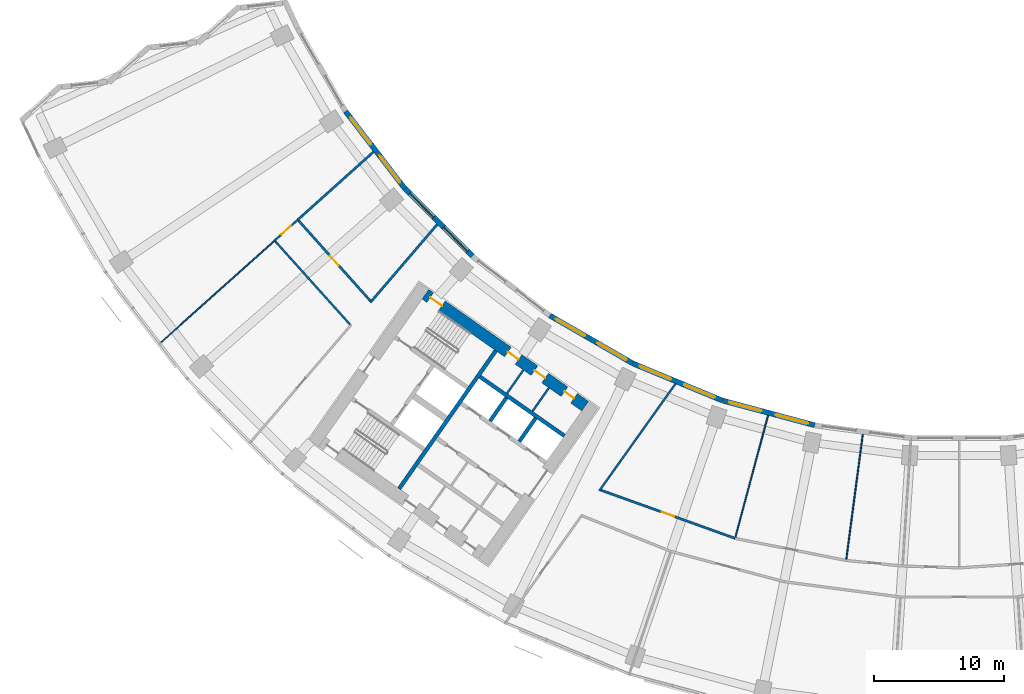
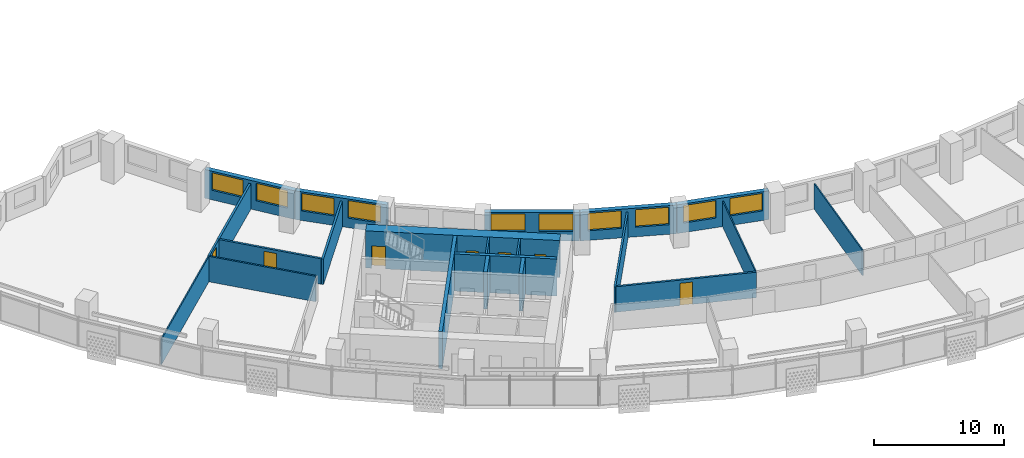
# One storey, part 4 of 29: 22 walls, 10 windows, 7 doors, 17 openings.
"""IFC4 building model written with IfcOpenShell, lengths in metres."""

from ifc_helpers import new_model, si_unit, direction, frame, frame_2d, origin, place, context, subcontext, project, spatial, rectangle, extrude, material, layer, layer_set, type_object, element, fill, save


model = new_model("IFC4")

# Units and contexts
model_context = context("Model", 3, precision=1e-05, world=origin(), true_north=direction((0.0, 1.0)))
body_context = subcontext(model_context, "Body", "Model", "MODEL_VIEW")
ifc_project = project(units=[si_unit("LENGTHUNIT", "METRE"), si_unit("AREAUNIT", "SQUARE_METRE"), si_unit("VOLUMEUNIT", "CUBIC_METRE"), si_unit("PLANEANGLEUNIT", "RADIAN"), si_unit("MASSUNIT", "GRAM", prefix="KILO")], contexts=[model_context])

# Site, building, storey
site_placement = place(None, origin())
site = spatial("IfcSite", under=ifc_project, at=site_placement, CompositionType="ELEMENT")
building_placement = place(site_placement, origin())
building = spatial("IfcBuilding", under=site, at=building_placement, Name="Qamariyya Broadcast Tower", CompositionType="ELEMENT")
storey_placement = place(building_placement, frame((0.0, 0.0, 129.10009765625)))
storey = spatial("IfcBuildingStorey", under=building, at=storey_placement, Name="L29", CompositionType="ELEMENT", Elevation=129.10009765625)

# Wall, openings, doors
ifc_material_1 = material(Name="Concrete C70/85", Category="concrete")
ifc_layer_1 = layer(ifc_material_1, 0.89990234375)
ifc_layer_set_1 = layer_set([ifc_layer_1], Name="Core wall 900 mm Concrete C70/85")
wall_type_1 = type_object("IfcWallType", Name="Core wall 900 mm Concrete C70/85", PredefinedType="SHEAR", material=ifc_layer_set_1)
wall_1_placement = place(storey_placement, frame((-28.8544921875, -54.32421875, 0.0), z_axis=(0.0, 0.0, 1.0), x_axis=(-0.819145767589, 0.573585400304, 0.0)))
wall_1 = element("IfcWall", 1, at=wall_1_placement, inside=storey, type_object=wall_type_1, Name="k-W-L29-WI", PredefinedType="SHEAR", context=body_context, shape_type="SweptSolid", body=[
    extrude(rectangle(XDim=15.04541015625, YDim=0.89990234375, at=frame_2d((7.522705078125, 0.0))), origin(), (0.0, 0.0, 1.0), 3.5),
])
opening_1_placement = place(wall_1_placement, frame((1.050048828125, 0.0, 0.0)))
opening_1 = element("IfcOpeningElement", 2, at=opening_1_placement, cuts=wall_1, Name="Opening KD5-W1", PredefinedType="OPENING", context=body_context, shape_type="SweptSolid", body=[
    extrude(rectangle(XDim=0.89990234375, YDim=2.10009765625, at=frame_2d((0.449951171875, 1.050048828125))), frame((0.0, 0.4599609375, 0.0), z_axis=(0.0, -1.0, 0.0), x_axis=(1.0, 0.0, 0.0)), (0.0, 0.0, 1.0), 0.919921875),
])
opening_2_placement = place(wall_1_placement, frame((3.77490234375, 0.0, 0.0)))
opening_2 = element("IfcOpeningElement", 3, at=opening_2_placement, cuts=wall_1, Name="Opening KD7-W1", PredefinedType="OPENING", context=body_context, shape_type="SweptSolid", body=[
    extrude(rectangle(XDim=1.0, YDim=2.10009765625, at=frame_2d((0.5, 1.050048828125))), frame((0.0, 0.4599609375, 0.0), z_axis=(0.0, -1.0, 0.0), x_axis=(1.0, 0.0, 0.0)), (0.0, 0.0, 1.0), 0.919921875),
])
opening_3_placement = place(wall_1_placement, frame((6.27490234375, 0.0, 0.0)))
opening_3 = element("IfcOpeningElement", 4, at=opening_3_placement, cuts=wall_1, Name="Opening KD6-W4", PredefinedType="OPENING", context=body_context, shape_type="SweptSolid", body=[
    extrude(rectangle(XDim=1.0, YDim=2.10009765625, at=frame_2d((0.5, 1.050048828125))), frame((0.0, 0.4599609375, 0.0), z_axis=(0.0, -1.0, 0.0), x_axis=(1.0, 0.0, 0.0)), (0.0, 0.0, 1.0), 0.919921875),
])
opening_4_placement = place(wall_1_placement, frame((13.495361328125, 0.0, 0.0)))
opening_4 = element("IfcOpeningElement", 5, at=opening_4_placement, cuts=wall_1, Name="Opening KD1-W1", PredefinedType="OPENING", context=body_context, shape_type="SweptSolid", body=[
    extrude(rectangle(XDim=1.10009765625, YDim=2.10009765625, at=frame_2d((0.550048828125, 1.050048828125))), frame((0.0, 0.4599609375, 0.0), z_axis=(0.0, -1.0, 0.0), x_axis=(1.0, 0.0, 0.0)), (0.0, 0.0, 1.0), 0.919921875),
])
ifc_material_2 = material(Name="Steel fire-resisting door leaf", Category="steel")
door_type_1 = type_object("IfcDoorType", Name="Accessible toilet door KD7", OperationType="SINGLE_SWING_LEFT", PredefinedType="DOOR", material=ifc_material_2)
door_1_placement = place(opening_2_placement, origin())
door_1 = element("IfcDoor", 6, at=door_1_placement, inside=storey, type_object=door_type_1, Name="k-W-L29-WI-D9", OperationType="SINGLE_SWING_RIGHT", OverallHeight=2.10009765625, OverallWidth=1.0, PredefinedType="DOOR", context=body_context, shape_type="SweptSolid", body=[
    extrude(rectangle(XDim=1.0, YDim=2.10009765625, at=frame_2d((0.5, 1.050048828125))), frame((0.0, 0.02490234375, 0.0), z_axis=(0.0, -1.0, 0.0), x_axis=(1.0, 0.0, 0.0)), (0.0, 0.0, 1.0), 0.050048828125),
])
fill(opening_2, door_1)
door_type_2 = type_object("IfcDoorType", Name="Core room door KD6", OperationType="SINGLE_SWING_LEFT", PredefinedType="DOOR", material=ifc_material_2)
door_2_placement = place(opening_3_placement, origin())
door_2 = element("IfcDoor", 7, at=door_2_placement, inside=storey, type_object=door_type_2, Name="k-W-L29-WI-D10", OperationType="SINGLE_SWING_LEFT", OverallHeight=2.10009765625, OverallWidth=1.0, PredefinedType="DOOR", context=body_context, shape_type="SweptSolid", body=[
    extrude(rectangle(XDim=1.0, YDim=2.10009765625, at=frame_2d((0.5, 1.050048828125))), frame((0.0, 0.02490234375, 0.0), z_axis=(0.0, -1.0, 0.0), x_axis=(1.0, 0.0, 0.0)), (0.0, 0.0, 1.0), 0.050048828125),
])
fill(opening_3, door_2)
door_type_3 = type_object("IfcDoorType", Name="Stair door KD1", OperationType="SINGLE_SWING_LEFT", PredefinedType="DOOR", material=ifc_material_2)
door_3_placement = place(opening_4_placement, origin())
door_3 = element("IfcDoor", 8, at=door_3_placement, inside=storey, type_object=door_type_3, Name="k-W-L29-WI-D17", OperationType="SINGLE_SWING_RIGHT", OverallHeight=2.10009765625, OverallWidth=1.10009765625, PredefinedType="DOOR", context=body_context, shape_type="SweptSolid", body=[
    extrude(rectangle(XDim=1.10009765625, YDim=2.10009765625, at=frame_2d((0.550048828125, 1.050048828125))), frame((0.0, 0.02490234375, 0.0), z_axis=(0.0, -1.0, 0.0), x_axis=(1.0, 0.0, 0.0)), (0.0, 0.0, 1.0), 0.050048828125),
])
fill(opening_4, door_3)
door_type_4 = type_object("IfcDoorType", Name="Toilet door KD5", OperationType="SINGLE_SWING_LEFT", PredefinedType="DOOR", material=ifc_material_2)
door_4_placement = place(opening_1_placement, origin())
door_4 = element("IfcDoor", 9, at=door_4_placement, inside=storey, type_object=door_type_4, Name="k-W-L29-WI-D8", OperationType="SINGLE_SWING_LEFT", OverallHeight=2.10009765625, OverallWidth=0.89990234375, PredefinedType="DOOR", context=body_context, shape_type="SweptSolid", body=[
    extrude(rectangle(XDim=0.89990234375, YDim=2.10009765625, at=frame_2d((0.449951171875, 1.050048828125))), frame((0.0, 0.02490234375, 0.0), z_axis=(0.0, -1.0, 0.0), x_axis=(1.0, 0.0, 0.0)), (0.0, 0.0, 1.0), 0.050048828125),
])
fill(opening_1, door_4)

# Wall, opening, door
ifc_material_3 = material(Name="Gypsum board partition")
ifc_layer_2 = layer(ifc_material_3, 0.14990234375)
ifc_layer_set_2 = layer_set([ifc_layer_2], Name="Corridor partition 150 EI 60")
wall_type_2 = type_object("IfcWallType", Name="Corridor partition 150 EI 60", PredefinedType="PARTITIONING", material=ifc_layer_set_2)
wall_2_placement = place(storey_placement, frame((-52.81396484375, -41.551513671875, 0.0), z_axis=(0.0, 0.0, 1.0), x_axis=(0.744484183784, 0.667640097729, 0.0)))
wall_2 = element("IfcWall", 10, at=wall_2_placement, inside=storey, type_object=wall_type_2, Name="Partition L29-002", PredefinedType="PARTITIONING", context=body_context, shape_type="SweptSolid", body=[
    extrude(rectangle(XDim=2.405029296875, YDim=0.14990234375, at=frame_2d((1.20263671875, 0.0))), origin(), (0.0, 0.0, 1.0), 2.39990234375),
])
opening_5_placement = place(wall_2_placement, frame((0.70263671875, 0.0, 0.0)))
opening_5 = element("IfcOpeningElement", 11, at=opening_5_placement, cuts=wall_2, Name="Opening L29-D15", PredefinedType="OPENING", context=body_context, shape_type="SweptSolid", body=[
    extrude(rectangle(XDim=1.0, YDim=2.10009765625, at=frame_2d((0.5, 1.050048828125))), frame((0.0, 0.0849609375, 0.0), z_axis=(0.0, -1.0, 0.0), x_axis=(1.0, 0.0, 0.0)), (0.0, 0.0, 1.0), 0.169921875),
])
ifc_material_4 = material(Name="Timber fire door leaf", Category="wood")
door_type_5 = type_object("IfcDoorType", Name="Fire door 1000 x 2100 FD60", OperationType="NOTDEFINED", PredefinedType="DOOR", material=ifc_material_4)
door_5_placement = place(opening_5_placement, origin())
door_5 = element("IfcDoor", 12, at=door_5_placement, inside=storey, type_object=door_type_5, Name="Door L29-D15", OperationType="SINGLE_SWING_RIGHT", OverallHeight=2.10009765625, OverallWidth=1.0, PredefinedType="DOOR", context=body_context, shape_type="SweptSolid", body=[
    extrude(rectangle(XDim=1.0, YDim=2.10009765625, at=frame_2d((0.5, 1.050048828125))), frame((0.0, 0.02490234375, 0.0), z_axis=(0.0, -1.0, 0.0), x_axis=(1.0, 0.0, 0.0)), (0.0, 0.0, 1.0), 0.050048828125),
])
fill(opening_5, door_5)

# Walls
wall_3_placement = place(storey_placement, frame((-46.98876953125, -48.03369140625, 0.0), z_axis=(0.0, 0.0, 1.0), x_axis=(-0.668407219478, 0.743795528993, 0.0)))
element("IfcWall", 13, at=wall_3_placement, inside=storey, type_object=wall_type_2, Name="Partition L29-005", PredefinedType="PARTITIONING", context=body_context, shape_type="SweptSolid", body=[
    extrude(rectangle(XDim=8.64013671875, YDim=0.14990234375, at=frame_2d((4.320068359375, 0.0))), origin(), (0.0, 0.0, 1.0), 2.39990234375),
])
wall_4_placement = place(storey_placement, frame((-21.8837890625, -52.59765625, 0.0), z_axis=(0.0, 0.0, 1.0), x_axis=(-0.580023139251, -0.814599998732, 0.0)))
element("IfcWall", 14, at=wall_4_placement, inside=storey, type_object=wall_type_2, Name="Partition L29-013", PredefinedType="PARTITIONING", context=body_context, shape_type="SweptSolid", body=[
    extrude(rectangle(XDim=10.135986328125, YDim=0.14990234375, at=frame_2d((5.06787109375, 0.0))), origin(), (0.0, 0.0, 1.0), 2.39990234375),
])
ifc_material_5 = material(Name="Gypsum board partition on steel studs", Category="steel")
ifc_layer_3 = layer(ifc_material_5, 0.14990234375)
ifc_layer_set_3 = layer_set([ifc_layer_3], Name="Gypsum board partition 150 mm")
wall_type_3 = type_object("IfcWallType", Name="Gypsum board partition 150 mm", PredefinedType="PARTITIONING", material=ifc_layer_set_3)
wall_5_placement = place(storey_placement, frame((-32.9140625, -54.716796875, 0.0), z_axis=(0.0, 0.0, 1.0), x_axis=(0.573581496053, 0.819148501424, 0.0)))
element("IfcWall", 15, at=wall_5_placement, inside=storey, type_object=wall_type_3, Name="k-W-L29-NP310", PredefinedType="PARTITIONING", context=body_context, shape_type="SweptSolid", body=[
    extrude(rectangle(XDim=2.2001953125, YDim=0.14990234375, at=frame_2d((1.10009765625, 0.0))), origin(), (0.0, 0.0, 1.0), 3.5),
])
wall_6_placement = place(storey_placement, frame((-34.8798828125, -53.340087890625, 0.0), z_axis=(0.0, 0.0, 1.0), x_axis=(0.573559170999, 0.819164133348, 0.0)))
element("IfcWall", 16, at=wall_6_placement, inside=storey, type_object=wall_type_3, Name="k-W-L29-NP550", PredefinedType="PARTITIONING", context=body_context, shape_type="SweptSolid", body=[
    extrude(rectangle(XDim=2.19970703125, YDim=0.14990234375, at=frame_2d((1.099853515625, 0.0))), origin(), (0.0, 0.0, 1.0), 3.5),
])
ifc_material_6 = material(Name="Concrete C60/75", Category="concrete")
ifc_layer_4 = layer(ifc_material_6, 0.300048828125)
ifc_layer_set_4 = layer_set([ifc_layer_4], Name="Lift shaft wall 300 mm Concrete C60/75")
wall_type_4 = type_object("IfcWallType", Name="Lift shaft wall 300 mm Concrete C60/75", PredefinedType="SOLIDWALL", material=ifc_layer_set_4)
wall_7_placement = place(storey_placement, frame((-43.204345703125, -60.69580078125, 0.0), z_axis=(0.0, 0.0, 1.0), x_axis=(0.573571992966, 0.819155155563, 0.0)))
element("IfcWall", 17, at=wall_7_placement, inside=storey, type_object=wall_type_4, Name="k-W-L29-WL", PredefinedType="SOLIDWALL", context=body_context, shape_type="SweptSolid", body=[
    extrude(rectangle(XDim=13.000244140625, YDim=0.300048828125, at=frame_2d((6.5, 0.0))), origin(), (0.0, 0.0, 1.0), 3.5),
])
wall_8_placement = place(storey_placement, frame((-30.460693359375, -56.61767578125, 0.0), z_axis=(0.0, 0.0, 1.0), x_axis=(-0.819142461705, 0.573590121456, 0.0)))
element("IfcWall", 18, at=wall_8_placement, inside=storey, type_object=wall_type_4, Name="k-W-L29-NB0", PredefinedType="SOLIDWALL", context=body_context, shape_type="SweptSolid", body=[
    extrude(rectangle(XDim=7.949951171875, YDim=0.300048828125, at=frame_2d((3.97509765625, 0.0))), origin(), (0.0, 0.0, 1.0), 3.5),
])
wall_9_placement = place(storey_placement, frame((-33.9384765625, -57.051513671875, 0.0), z_axis=(0.0, 0.0, 1.0), x_axis=(0.573581496053, 0.819148501424, 0.0)))
element("IfcWall", 19, at=wall_9_placement, inside=storey, type_object=wall_type_4, Name="k-W-L29-ND0", PredefinedType="SOLIDWALL", context=body_context, shape_type="SweptSolid", body=[
    extrude(rectangle(XDim=2.2001953125, YDim=0.300048828125, at=frame_2d((1.10009765625, 0.0))), origin(), (0.0, 0.0, 1.0), 3.5),
])
wall_10_placement = place(storey_placement, frame((-36.19091796875, -55.47412109375, 0.0), z_axis=(0.0, 0.0, 1.0), x_axis=(0.573507030513, 0.819200638399, 0.0)))
element("IfcWall", 20, at=wall_10_placement, inside=storey, type_object=wall_type_4, Name="k-W-L29-ND1", PredefinedType="SOLIDWALL", context=body_context, shape_type="SweptSolid", body=[
    extrude(rectangle(XDim=2.199951171875, YDim=0.300048828125, at=frame_2d((1.10009765625, 0.0))), origin(), (0.0, 0.0, 1.0), 3.5),
])
ifc_layer_5 = layer(ifc_material_3, 0.10009765625)
ifc_layer_set_5 = layer_set([ifc_layer_5], Name="Partition 100")
wall_type_5 = type_object("IfcWallType", Name="Partition 100", PredefinedType="PARTITIONING", material=ifc_layer_set_5)
wall_11_placement = place(storey_placement, frame((-61.576904296875, -49.409423828125, 0.0), z_axis=(0.0, 0.0, 1.0), x_axis=(0.744506868351, 0.667614801347, 0.0)))
element("IfcWall", 21, at=wall_11_placement, inside=storey, type_object=wall_type_5, Name="Partition L29-001", PredefinedType="PARTITIONING", context=body_context, shape_type="SweptSolid", body=[
    extrude(rectangle(XDim=11.77001953125, YDim=0.10009765625, at=frame_2d((5.885009765625, 0.0))), origin(), (0.0, 0.0, 1.0), 2.39990234375),
])
for number, where, z_axis, x_axis, name in (
    (22, (-14.7470703125, -55.037109375, 0.0), (0.0, 0.0, 1.0), (-0.258828880572, -0.965923190829, 0.0), "Partition L29-015"),
    (23, (-7.437255859375, -56.4912109375, 0.0), (0.0, 0.0, 1.0), (-0.130531739513, -0.991444131043, 0.0), "Partition L29-018"),
):
    element("IfcWall", number, at=place(storey_placement, frame(where, z_axis=z_axis, x_axis=x_axis)), inside=storey, type_object=wall_type_5, Name=name, PredefinedType="PARTITIONING", context=body_context, shape_type="SweptSolid", body=[
        extrude(rectangle(XDim=9.7314453125, YDim=0.10009765625, at=frame_2d((4.86572265625, 0.0))), origin(), (0.0, 0.0, 1.0), 2.39990234375),
    ])
ifc_layer_6 = layer(ifc_material_3, 0.179931640625)
ifc_layer_set_6 = layer_set([ifc_layer_6], Name="Studio acoustic partition 180 EI 60")
wall_type_6 = type_object("IfcWallType", Name="Studio acoustic partition 180 EI 60", PredefinedType="PARTITIONING", material=ifc_layer_set_6)
wall_12_placement = place(storey_placement, frame((-51.0234375, -39.94580078125, 0.0), z_axis=(0.0, 0.0, 1.0), x_axis=(0.744506479511, 0.667615234972, 0.0)))
element("IfcWall", 24, at=wall_12_placement, inside=storey, type_object=wall_type_6, Name="Partition L29-003", PredefinedType="PARTITIONING", context=body_context, shape_type="SweptSolid", body=[
    extrude(rectangle(XDim=7.842529296875, YDim=0.179931640625, at=frame_2d((3.92138671875, 0.0))), origin(), (0.0, 0.0, 1.0), 2.39990234375),
])

# Wall, opening, door
wall_13_placement = place(storey_placement, frame((-50.96337890625, -40.0126953125, 0.0), z_axis=(0.0, 0.0, 1.0), x_axis=(0.666620223153, -0.745397530237, 0.0)))
wall_13 = element("IfcWall", 25, at=wall_13_placement, inside=storey, type_object=wall_type_6, Name="Partition L29-006", PredefinedType="PARTITIONING", context=body_context, shape_type="SweptSolid", body=[
    extrude(rectangle(XDim=8.29638671875, YDim=0.179931640625, at=frame_2d((4.148193359375, 0.0))), origin(), (0.0, 0.0, 1.0), 2.39990234375),
])
opening_6_placement = place(wall_13_placement, frame((3.648193359375, 0.0, 0.0)))
opening_6 = element("IfcOpeningElement", 26, at=opening_6_placement, cuts=wall_13, Name="Opening L29-D13", PredefinedType="OPENING", context=body_context, shape_type="SweptSolid", body=[
    extrude(rectangle(XDim=1.0, YDim=2.10009765625, at=frame_2d((0.5, 1.050048828125))), frame((0.0, 0.099853515625, 0.0), z_axis=(0.0, -1.0, 0.0), x_axis=(1.0, 0.0, 0.0)), (0.0, 0.0, 1.0), 0.199951171875),
])
door_6_placement = place(opening_6_placement, origin())
door_6 = element("IfcDoor", 27, at=door_6_placement, inside=storey, type_object=door_type_5, Name="Door L29-D13", OperationType="SINGLE_SWING_RIGHT", OverallHeight=2.10009765625, OverallWidth=1.0, PredefinedType="DOOR", context=body_context, shape_type="SweptSolid", body=[
    extrude(rectangle(XDim=1.0, YDim=2.10009765625, at=frame_2d((0.5, 1.050048828125))), frame((0.0, 0.02490234375, 0.0), z_axis=(0.0, -1.0, 0.0), x_axis=(1.0, 0.0, 0.0)), (0.0, 0.0, 1.0), 0.050048828125),
])
fill(opening_6, door_6)

# Wall
wall_14_placement = place(storey_placement, frame((-40.267578125, -40.310791015625, 0.0), z_axis=(0.0, 0.0, 1.0), x_axis=(-0.65097638164, -0.759097984813, 0.0)))
element("IfcWall", 28, at=wall_14_placement, inside=storey, type_object=wall_type_6, Name="Partition L29-007", PredefinedType="PARTITIONING", context=body_context, shape_type="SweptSolid", body=[
    extrude(rectangle(XDim=7.932373046875, YDim=0.179931640625, at=frame_2d((3.96630859375, 0.0))), origin(), (0.0, 0.0, 1.0), 2.39990234375),
])

# Wall, opening, door
wall_15_placement = place(storey_placement, frame((-27.64013671875, -60.806640625, 0.0), z_axis=(0.0, 0.0, 1.0), x_axis=(0.941150861554, -0.337986768669, 0.0)))
wall_15 = element("IfcWall", 29, at=wall_15_placement, inside=storey, type_object=wall_type_6, Name="Partition L29-010", PredefinedType="PARTITIONING", context=body_context, shape_type="SweptSolid", body=[
    extrude(rectangle(XDim=10.998291015625, YDim=0.179931640625, at=frame_2d((5.4990234375, 0.0))), origin(), (0.0, 0.0, 1.0), 2.39990234375),
])
opening_7_placement = place(wall_15_placement, frame((4.9990234375, 0.0, 0.0)))
opening_7 = element("IfcOpeningElement", 30, at=opening_7_placement, cuts=wall_15, Name="Opening L29-D06", PredefinedType="OPENING", context=body_context, shape_type="SweptSolid", body=[
    extrude(rectangle(XDim=1.0, YDim=2.10009765625, at=frame_2d((0.5, 1.050048828125))), frame((0.0, 0.099853515625, 0.0), z_axis=(0.0, -1.0, 0.0), x_axis=(1.0, 0.0, 0.0)), (0.0, 0.0, 1.0), 0.199951171875),
])
door_7_placement = place(opening_7_placement, origin())
door_7 = element("IfcDoor", 31, at=door_7_placement, inside=storey, type_object=door_type_5, Name="Door L29-D06", OperationType="SINGLE_SWING_RIGHT", OverallHeight=2.10009765625, OverallWidth=1.0, PredefinedType="DOOR", context=body_context, shape_type="SweptSolid", body=[
    extrude(rectangle(XDim=1.0, YDim=2.10009765625, at=frame_2d((0.5, 1.050048828125))), frame((0.0, 0.02490234375, 0.0), z_axis=(0.0, -1.0, 0.0), x_axis=(1.0, 0.0, 0.0)), (0.0, 0.0, 1.0), 0.050048828125),
])
fill(opening_7, door_7)

# Wall, openings, windows
ifc_material_7 = material(Name="Terracotta", Category="masonry")
ifc_layer_7 = layer(ifc_material_7, 0.39990234375)
ifc_layer_set_7 = layer_set([ifc_layer_7], Name="Terracotta clad wall 400")
wall_type_7 = type_object("IfcWallType", Name="Terracotta clad wall 400", PredefinedType="SOLIDWALL", material=ifc_layer_set_7)
wall_16_placement = place(storey_placement, frame((-42.764892578125, -37.536865234375, 0.0), z_axis=(0.0, 0.0, 1.0), x_axis=(-0.608748204711, 0.793363487476, 0.0)))
wall_16 = element("IfcWall", 32, at=wall_16_placement, inside=storey, type_object=wall_type_7, Name="e-wl-L29-in20", PredefinedType="SOLIDWALL", context=body_context, shape_type="SweptSolid", body=[
    extrude(rectangle(XDim=7.492919921875, YDim=0.39990234375, at=frame_2d((3.74658203125, 0.0))), origin(), (0.0, 0.0, 1.0), 2.699951171875),
])
opening_8_placement = place(wall_16_placement, frame((4.300537109375, 0.0, 0.89990234375)))
opening_8 = element("IfcOpeningElement", 33, at=opening_8_placement, cuts=wall_16, Name="Opening W1", PredefinedType="OPENING", context=body_context, shape_type="SweptSolid", body=[
    extrude(rectangle(XDim=2.60009765625, YDim=1.64990234375, at=frame_2d((1.300048828125, 0.824951171875))), frame((0.0, 0.2099609375, 0.0), z_axis=(0.0, -1.0, 0.0), x_axis=(1.0, 0.0, 0.0)), (0.0, 0.0, 1.0), 0.419921875),
])
opening_9_placement = place(wall_16_placement, frame((0.59228515625, 0.0, 0.89990234375)))
opening_9 = element("IfcOpeningElement", 34, at=opening_9_placement, cuts=wall_16, Name="Opening W1", PredefinedType="OPENING", context=body_context, shape_type="SweptSolid", body=[
    extrude(rectangle(XDim=2.60009765625, YDim=1.64990234375, at=frame_2d((1.300048828125, 0.824951171875))), frame((0.0, 0.2099609375, 0.0), z_axis=(0.0, -1.0, 0.0), x_axis=(1.0, 0.0, 0.0)), (0.0, 0.0, 1.0), 0.419921875),
])
ifc_material_8 = material(Name="Clear low-e double glazed unit in aluminium frame", Category="aluminium")
window_type = type_object("IfcWindowType", Name="Ribbon window 2600 x 1650", PartitioningType="SINGLE_PANEL", PredefinedType="WINDOW", material=ifc_material_8)
window_1_placement = place(opening_8_placement, origin())
window_1 = element("IfcWindow", 35, at=window_1_placement, inside=storey, type_object=window_type, Name="e-w-L29-in02-0", OverallHeight=1.64990234375, OverallWidth=2.60009765625, PartitioningType="SINGLE_PANEL", PredefinedType="WINDOW", context=body_context, shape_type="SweptSolid", body=[
    extrude(rectangle(XDim=2.60009765625, YDim=1.64990234375, at=frame_2d((1.300048828125, 0.824951171875))), frame((0.0, 0.030029296875, 0.0), z_axis=(0.0, -1.0, 0.0), x_axis=(1.0, 0.0, 0.0)), (0.0, 0.0, 1.0), 0.06005859375),
])
fill(opening_8, window_1)
window_2_placement = place(opening_9_placement, origin())
window_2 = element("IfcWindow", 36, at=window_2_placement, inside=storey, type_object=window_type, Name="e-w-L29-in02-1", OverallHeight=1.64990234375, OverallWidth=2.60009765625, PartitioningType="SINGLE_PANEL", PredefinedType="WINDOW", context=body_context, shape_type="SweptSolid", body=[
    extrude(rectangle(XDim=2.60009765625, YDim=1.64990234375, at=frame_2d((1.300048828125, 0.824951171875))), frame((0.0, 0.030029296875, 0.0), z_axis=(0.0, -1.0, 0.0), x_axis=(1.0, 0.0, 0.0)), (0.0, 0.0, 1.0), 0.06005859375),
])
fill(opening_9, window_2)

wall_17_placement = place(storey_placement, frame((-37.552978515625, -42.744140625, 0.0), z_axis=(0.0, 0.0, 1.0), x_axis=(-0.707106781187, 0.707106781187, 0.0)))
wall_17 = element("IfcWall", 37, at=wall_17_placement, inside=storey, type_object=wall_type_7, Name="e-wl-L29-in30", PredefinedType="SOLIDWALL", context=body_context, shape_type="SweptSolid", body=[
    extrude(rectangle(XDim=7.34130859375, YDim=0.39990234375, at=frame_2d((3.670654296875, 0.0))), origin(), (0.0, 0.0, 1.0), 2.699951171875),
])
opening_10_placement = place(wall_17_placement, frame((4.224853515625, 0.0, 0.89990234375)))
opening_10 = element("IfcOpeningElement", 38, at=opening_10_placement, cuts=wall_17, Name="Opening W1", PredefinedType="OPENING", context=body_context, shape_type="SweptSolid", body=[
    extrude(rectangle(XDim=2.60009765625, YDim=1.64990234375, at=frame_2d((1.300048828125, 0.824951171875))), frame((0.0, 0.2099609375, 0.0), z_axis=(0.0, -1.0, 0.0), x_axis=(1.0, 0.0, 0.0)), (0.0, 0.0, 1.0), 0.419921875),
])
opening_11_placement = place(wall_17_placement, frame((0.5166015625, 0.0, 0.89990234375)))
opening_11 = element("IfcOpeningElement", 39, at=opening_11_placement, cuts=wall_17, Name="Opening W1", PredefinedType="OPENING", context=body_context, shape_type="SweptSolid", body=[
    extrude(rectangle(XDim=2.60009765625, YDim=1.64990234375, at=frame_2d((1.300048828125, 0.824951171875))), frame((0.0, 0.2099609375, 0.0), z_axis=(0.0, -1.0, 0.0), x_axis=(1.0, 0.0, 0.0)), (0.0, 0.0, 1.0), 0.419921875),
])
window_3_placement = place(opening_10_placement, origin())
window_3 = element("IfcWindow", 40, at=window_3_placement, inside=storey, type_object=window_type, Name="e-w-L29-in03-0", OverallHeight=1.64990234375, OverallWidth=2.60009765625, PartitioningType="SINGLE_PANEL", PredefinedType="WINDOW", context=body_context, shape_type="SweptSolid", body=[
    extrude(rectangle(XDim=2.60009765625, YDim=1.64990234375, at=frame_2d((1.300048828125, 0.824951171875))), frame((0.0, 0.030029296875, 0.0), z_axis=(0.0, -1.0, 0.0), x_axis=(1.0, 0.0, 0.0)), (0.0, 0.0, 1.0), 0.06005859375),
])
fill(opening_10, window_3)
window_4_placement = place(opening_11_placement, origin())
window_4 = element("IfcWindow", 41, at=window_4_placement, inside=storey, type_object=window_type, Name="e-w-L29-in03-1", OverallHeight=1.64990234375, OverallWidth=2.60009765625, PartitioningType="SINGLE_PANEL", PredefinedType="WINDOW", context=body_context, shape_type="SweptSolid", body=[
    extrude(rectangle(XDim=2.60009765625, YDim=1.64990234375, at=frame_2d((1.300048828125, 0.824951171875))), frame((0.0, 0.030029296875, 0.0), z_axis=(0.0, -1.0, 0.0), x_axis=(1.0, 0.0, 0.0)), (0.0, 0.0, 1.0), 0.06005859375),
])
fill(opening_11, window_4)

wall_18_placement = place(storey_placement, frame((-25.21044921875, -51.007080078125, 0.0), z_axis=(0.0, 0.0, 1.0), x_axis=(-0.866030525931, 0.499991128077, 0.0)))
wall_18 = element("IfcWall", 42, at=wall_18_placement, inside=storey, type_object=wall_type_7, Name="e-wl-L29-in50", PredefinedType="SOLIDWALL", context=body_context, shape_type="SweptSolid", body=[
    extrude(rectangle(XDim=7.341552734375, YDim=0.39990234375, at=frame_2d((3.6708984375, 0.0))), origin(), (0.0, 0.0, 1.0), 2.699951171875),
])
opening_12_placement = place(wall_18_placement, frame((4.224853515625, 0.0, 0.89990234375)))
opening_12 = element("IfcOpeningElement", 43, at=opening_12_placement, cuts=wall_18, Name="Opening W1", PredefinedType="OPENING", context=body_context, shape_type="SweptSolid", body=[
    extrude(rectangle(XDim=2.60009765625, YDim=1.64990234375, at=frame_2d((1.300048828125, 0.824951171875))), frame((0.0, 0.2099609375, 0.0), z_axis=(0.0, -1.0, 0.0), x_axis=(1.0, 0.0, 0.0)), (0.0, 0.0, 1.0), 0.419921875),
])
opening_13_placement = place(wall_18_placement, frame((0.5166015625, 0.0, 0.89990234375)))
opening_13 = element("IfcOpeningElement", 44, at=opening_13_placement, cuts=wall_18, Name="Opening W1", PredefinedType="OPENING", context=body_context, shape_type="SweptSolid", body=[
    extrude(rectangle(XDim=2.60009765625, YDim=1.64990234375, at=frame_2d((1.300048828125, 0.824951171875))), frame((0.0, 0.2099609375, 0.0), z_axis=(0.0, -1.0, 0.0), x_axis=(1.0, 0.0, 0.0)), (0.0, 0.0, 1.0), 0.419921875),
])
window_5_placement = place(opening_12_placement, origin())
window_5 = element("IfcWindow", 45, at=window_5_placement, inside=storey, type_object=window_type, Name="e-w-L29-in05-0", OverallHeight=1.64990234375, OverallWidth=2.60009765625, PartitioningType="SINGLE_PANEL", PredefinedType="WINDOW", context=body_context, shape_type="SweptSolid", body=[
    extrude(rectangle(XDim=2.60009765625, YDim=1.64990234375, at=frame_2d((1.300048828125, 0.824951171875))), frame((0.0, 0.030029296875, 0.0), z_axis=(0.0, -1.0, 0.0), x_axis=(1.0, 0.0, 0.0)), (0.0, 0.0, 1.0), 0.06005859375),
])
fill(opening_12, window_5)
window_6_placement = place(opening_13_placement, origin())
window_6 = element("IfcWindow", 46, at=window_6_placement, inside=storey, type_object=window_type, Name="e-w-L29-in05-1", OverallHeight=1.64990234375, OverallWidth=2.60009765625, PartitioningType="SINGLE_PANEL", PredefinedType="WINDOW", context=body_context, shape_type="SweptSolid", body=[
    extrude(rectangle(XDim=2.60009765625, YDim=1.64990234375, at=frame_2d((1.300048828125, 0.824951171875))), frame((0.0, 0.030029296875, 0.0), z_axis=(0.0, -1.0, 0.0), x_axis=(1.0, 0.0, 0.0)), (0.0, 0.0, 1.0), 0.06005859375),
])
fill(opening_13, window_6)

wall_19_placement = place(storey_placement, frame((-18.266845703125, -53.890380859375, 0.0), z_axis=(0.0, 0.0, 1.0), x_axis=(-0.923879826967, 0.382682721486, 0.0)))
wall_19 = element("IfcWall", 47, at=wall_19_placement, inside=storey, type_object=wall_type_7, Name="e-wl-L29-in60", PredefinedType="SOLIDWALL", context=body_context, shape_type="SweptSolid", body=[
    extrude(rectangle(XDim=7.492919921875, YDim=0.39990234375, at=frame_2d((3.74658203125, 0.0))), origin(), (0.0, 0.0, 1.0), 2.699951171875),
])
opening_14_placement = place(wall_19_placement, frame((4.300537109375, 0.0, 0.89990234375)))
opening_14 = element("IfcOpeningElement", 48, at=opening_14_placement, cuts=wall_19, Name="Opening W1", PredefinedType="OPENING", context=body_context, shape_type="SweptSolid", body=[
    extrude(rectangle(XDim=2.60009765625, YDim=1.64990234375, at=frame_2d((1.300048828125, 0.824951171875))), frame((0.0, 0.2099609375, 0.0), z_axis=(0.0, -1.0, 0.0), x_axis=(1.0, 0.0, 0.0)), (0.0, 0.0, 1.0), 0.419921875),
])
opening_15_placement = place(wall_19_placement, frame((0.59228515625, 0.0, 0.89990234375)))
opening_15 = element("IfcOpeningElement", 49, at=opening_15_placement, cuts=wall_19, Name="Opening W1", PredefinedType="OPENING", context=body_context, shape_type="SweptSolid", body=[
    extrude(rectangle(XDim=2.60009765625, YDim=1.64990234375, at=frame_2d((1.300048828125, 0.824951171875))), frame((0.0, 0.2099609375, 0.0), z_axis=(0.0, -1.0, 0.0), x_axis=(1.0, 0.0, 0.0)), (0.0, 0.0, 1.0), 0.419921875),
])
window_7_placement = place(opening_14_placement, origin())
window_7 = element("IfcWindow", 50, at=window_7_placement, inside=storey, type_object=window_type, Name="e-w-L29-in06-0", OverallHeight=1.64990234375, OverallWidth=2.60009765625, PartitioningType="SINGLE_PANEL", PredefinedType="WINDOW", context=body_context, shape_type="SweptSolid", body=[
    extrude(rectangle(XDim=2.60009765625, YDim=1.64990234375, at=frame_2d((1.300048828125, 0.824951171875))), frame((0.0, 0.030029296875, 0.0), z_axis=(0.0, -1.0, 0.0), x_axis=(1.0, 0.0, 0.0)), (0.0, 0.0, 1.0), 0.06005859375),
])
fill(opening_14, window_7)
window_8_placement = place(opening_15_placement, origin())
window_8 = element("IfcWindow", 51, at=window_8_placement, inside=storey, type_object=window_type, Name="e-w-L29-in06-1", OverallHeight=1.64990234375, OverallWidth=2.60009765625, PartitioningType="SINGLE_PANEL", PredefinedType="WINDOW", context=body_context, shape_type="SweptSolid", body=[
    extrude(rectangle(XDim=2.60009765625, YDim=1.64990234375, at=frame_2d((1.300048828125, 0.824951171875))), frame((0.0, 0.030029296875, 0.0), z_axis=(0.0, -1.0, 0.0), x_axis=(1.0, 0.0, 0.0)), (0.0, 0.0, 1.0), 0.06005859375),
])
fill(opening_15, window_8)

wall_20_placement = place(storey_placement, frame((-11.149658203125, -55.7939453125, 0.0), z_axis=(0.0, 0.0, 1.0), x_axis=(-0.965924597867, 0.258823629594, 0.0)))
wall_20 = element("IfcWall", 52, at=wall_20_placement, inside=storey, type_object=wall_type_7, Name="e-wl-L29-in70", PredefinedType="SOLIDWALL", context=body_context, shape_type="SweptSolid", body=[
    extrude(rectangle(XDim=7.341552734375, YDim=0.39990234375, at=frame_2d((3.6708984375, 0.0))), origin(), (0.0, 0.0, 1.0), 2.699951171875),
])
opening_16_placement = place(wall_20_placement, frame((4.224853515625, 0.0, 0.89990234375)))
opening_16 = element("IfcOpeningElement", 53, at=opening_16_placement, cuts=wall_20, Name="Opening W1", PredefinedType="OPENING", context=body_context, shape_type="SweptSolid", body=[
    extrude(rectangle(XDim=2.60009765625, YDim=1.64990234375, at=frame_2d((1.300048828125, 0.824951171875))), frame((0.0, 0.2099609375, 0.0), z_axis=(0.0, -1.0, 0.0), x_axis=(1.0, 0.0, 0.0)), (0.0, 0.0, 1.0), 0.419921875),
])
opening_17_placement = place(wall_20_placement, frame((0.5166015625, 0.0, 0.89990234375)))
opening_17 = element("IfcOpeningElement", 54, at=opening_17_placement, cuts=wall_20, Name="Opening W1", PredefinedType="OPENING", context=body_context, shape_type="SweptSolid", body=[
    extrude(rectangle(XDim=2.60009765625, YDim=1.64990234375, at=frame_2d((1.300048828125, 0.824951171875))), frame((0.0, 0.2099609375, 0.0), z_axis=(0.0, -1.0, 0.0), x_axis=(1.0, 0.0, 0.0)), (0.0, 0.0, 1.0), 0.419921875),
])
window_9_placement = place(opening_16_placement, origin())
window_9 = element("IfcWindow", 55, at=window_9_placement, inside=storey, type_object=window_type, Name="e-w-L29-in07-0", OverallHeight=1.64990234375, OverallWidth=2.60009765625, PartitioningType="SINGLE_PANEL", PredefinedType="WINDOW", context=body_context, shape_type="SweptSolid", body=[
    extrude(rectangle(XDim=2.60009765625, YDim=1.64990234375, at=frame_2d((1.300048828125, 0.824951171875))), frame((0.0, 0.030029296875, 0.0), z_axis=(0.0, -1.0, 0.0), x_axis=(1.0, 0.0, 0.0)), (0.0, 0.0, 1.0), 0.06005859375),
])
fill(opening_16, window_9)
window_10_placement = place(opening_17_placement, origin())
window_10 = element("IfcWindow", 56, at=window_10_placement, inside=storey, type_object=window_type, Name="e-w-L29-in07-1", OverallHeight=1.64990234375, OverallWidth=2.60009765625, PartitioningType="SINGLE_PANEL", PredefinedType="WINDOW", context=body_context, shape_type="SweptSolid", body=[
    extrude(rectangle(XDim=2.60009765625, YDim=1.64990234375, at=frame_2d((1.300048828125, 0.824951171875))), frame((0.0, 0.030029296875, 0.0), z_axis=(0.0, -1.0, 0.0), x_axis=(1.0, 0.0, 0.0)), (0.0, 0.0, 1.0), 0.06005859375),
])
fill(opening_17, window_10)

save(model, "model.ifc")
